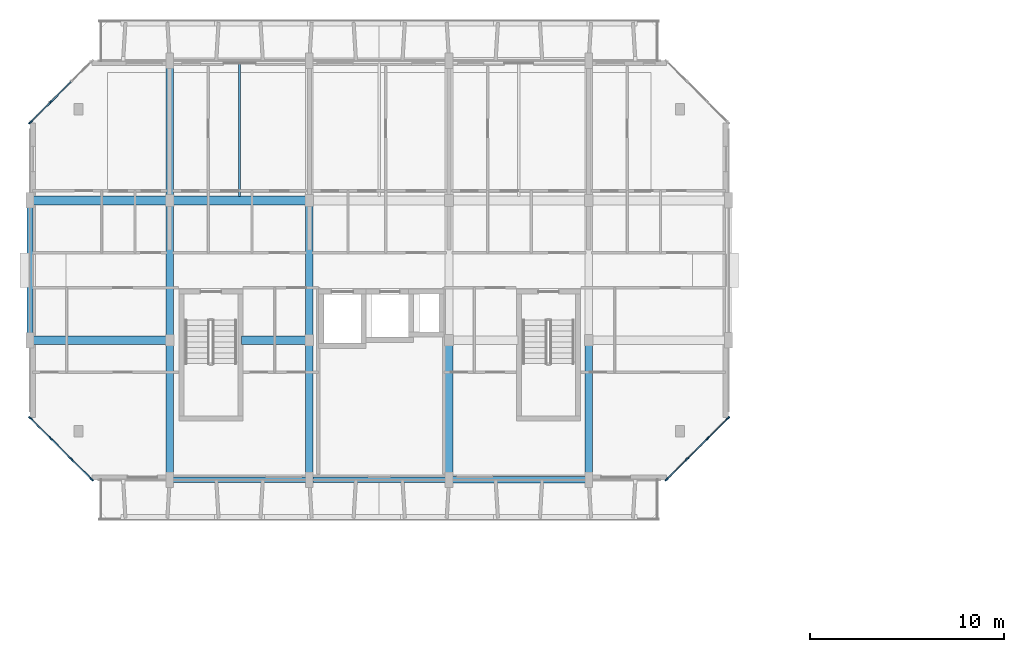
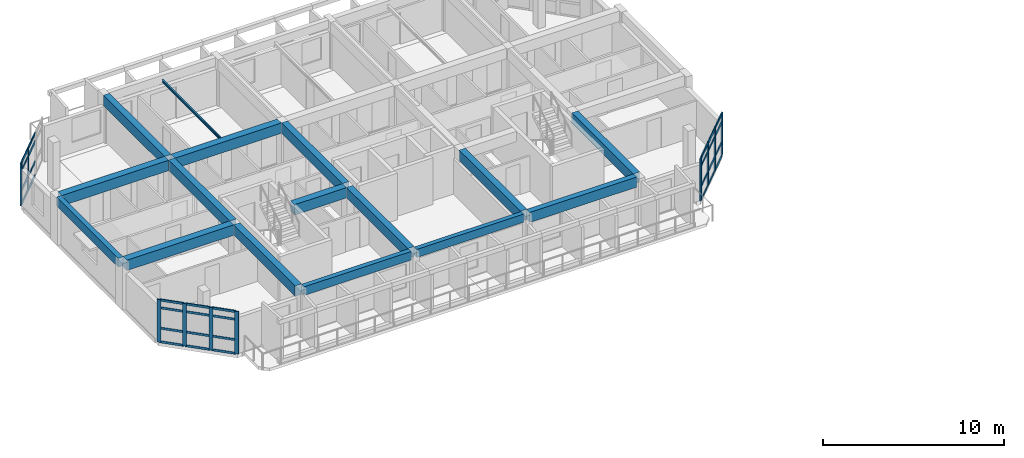
# One storey, part 5 of 40: 42 members, 16 beams, 3 elements without a shape of their own.
"""IFC4 building model written with IfcOpenShell, lengths in metres."""

from ifc_helpers import new_model, si_unit, direction, frame, origin, origin_2d, place, context, subcontext, project, spatial, rectangle, i_section, extrude, material, layer, layer_set, material_profile, profile_set, type_object, element, aggregate, save


model = new_model("IFC4")

# Units and contexts
model_context = context("Model", 3, precision=1e-05, world=origin(), true_north=direction((0.0, 1.0)))
body_context = subcontext(model_context, "Body", "Model", "MODEL_VIEW")
ifc_project = project(units=[si_unit("LENGTHUNIT", "METRE"), si_unit("AREAUNIT", "SQUARE_METRE"), si_unit("VOLUMEUNIT", "CUBIC_METRE"), si_unit("PLANEANGLEUNIT", "RADIAN"), si_unit("MASSUNIT", "GRAM", prefix="KILO")], contexts=[model_context])

# Site, building, storey
site_placement = place(None, origin())
site = spatial("IfcSite", under=ifc_project, at=site_placement, CompositionType="ELEMENT")
building_placement = place(site_placement, origin())
building = spatial("IfcBuilding", under=site, at=building_placement, Name="Ochrevale Crest", CompositionType="ELEMENT")
storey_placement = place(building_placement, frame((0.0, 0.0, 27.60009765625)))
storey = spatial("IfcBuildingStorey", under=building, at=storey_placement, Name="L08", CompositionType="ELEMENT", Elevation=27.60009765625)

# Beams
ifc_material_1 = material(Name="Precast concrete C50/60", Category="concrete")
ifc_material_profile_1 = material_profile(ifc_material_1, rectangle(XDim=0.39990234375, YDim=0.699951171875, at=origin_2d()), Name="PC 400x700")
ifc_profile_set_1 = profile_set([ifc_material_profile_1], Name="Precast concrete C50/60")
beam_type_1 = type_object("IfcBeamType", Name="BM-PC400x700", PredefinedType="BEAM", material=ifc_profile_set_1)
beam_1_placement = place(storey_placement, frame((7.199951171875, 72.179931640625, 2.7998046875), z_axis=(0.0, 1.0, 0.0), x_axis=(-1.0, 0.0, 0.0)))
element("IfcBeam", 1, at=beam_1_placement, inside=storey, type_object=beam_type_1, Name="Block B L08 N-S beam X=7.2", PredefinedType="BEAM", context=body_context, shape_type="SweptSolid", body=[
    extrude(rectangle(XDim=0.39990234375, YDim=0.699951171875, at=origin_2d()), origin(), (0.0, 0.0, 1.0), 6.815185546875),
])
beam_2_placement = place(storey_placement, frame((7.199951171875, 79.405029296875, 2.7998046875), z_axis=(0.0, 1.0, 0.0), x_axis=(-1.0, 0.0, 0.0)))
element("IfcBeam", 2, at=beam_2_placement, inside=storey, type_object=beam_type_1, Name="Block B L08 N-S beam X=7.2", PredefinedType="BEAM", context=body_context, shape_type="SweptSolid", body=[
    extrude(rectangle(XDim=0.39990234375, YDim=0.699951171875, at=origin_2d()), origin(), (0.0, 0.0, 1.0), 6.7900390625),
])
beam_3_placement = place(storey_placement, frame((7.199951171875, 86.60498046875, 2.7998046875), z_axis=(0.0, 1.0, 0.0), x_axis=(-1.0, 0.0, 0.0)))
element("IfcBeam", 3, at=beam_3_placement, inside=storey, type_object=beam_type_1, Name="Block B L08 N-S beam X=7.2", PredefinedType="BEAM", context=body_context, shape_type="SweptSolid", body=[
    extrude(rectangle(XDim=0.39990234375, YDim=0.699951171875, at=origin_2d()), origin(), (0.0, 0.0, 1.0), 6.81494140625),
])
beam_4_placement = place(storey_placement, frame((14.39990234375, 72.179931640625, 2.7998046875), z_axis=(0.0, 1.0, 0.0), x_axis=(-1.0, 0.0, 0.0)))
element("IfcBeam", 4, at=beam_4_placement, inside=storey, type_object=beam_type_1, Name="Block B L08 N-S beam X=14.4", PredefinedType="BEAM", context=body_context, shape_type="SweptSolid", body=[
    extrude(rectangle(XDim=0.39990234375, YDim=0.699951171875, at=origin_2d()), origin(), (0.0, 0.0, 1.0), 6.815185546875),
])
beam_5_placement = place(storey_placement, frame((14.39990234375, 79.405029296875, 2.7998046875), z_axis=(0.0, 1.0, 0.0), x_axis=(-1.0, 0.0, 0.0)))
element("IfcBeam", 5, at=beam_5_placement, inside=storey, type_object=beam_type_1, Name="Block B L08 N-S beam X=14.4", PredefinedType="BEAM", context=body_context, shape_type="SweptSolid", body=[
    extrude(rectangle(XDim=0.39990234375, YDim=0.699951171875, at=origin_2d()), origin(), (0.0, 0.0, 1.0), 6.7900390625),
])
for number, where, z_axis, x_axis, name in (
    (6, (21.60009765625, 72.179931640625, 2.7998046875), (0.0, 1.0, 0.0), (-1.0, 0.0, 0.0), "Block B L08 N-S beam X=21.6"),
    (7, (28.800048828125, 72.179931640625, 2.7998046875), (0.0, 1.0, 0.0), (-1.0, 0.0, 0.0), "Block B L08 N-S beam X=28.8"),
):
    element("IfcBeam", number, at=place(storey_placement, frame(where, z_axis=z_axis, x_axis=x_axis)), inside=storey, type_object=beam_type_1, Name=name, PredefinedType="BEAM", context=body_context, shape_type="SweptSolid", body=[
        extrude(rectangle(XDim=0.39990234375, YDim=0.699951171875, at=origin_2d()), origin(), (0.0, 0.0, 1.0), 6.815185546875),
    ])
ifc_material_2 = material(Name="Concrete C50/60", Category="concrete")
ifc_material_profile_2 = material_profile(ifc_material_2, rectangle(XDim=0.449951171875, YDim=0.699951171875, at=origin_2d()), Name="RC 450x700")
ifc_profile_set_2 = profile_set([ifc_material_profile_2], Name="Concrete C50/60")
beam_type_2 = type_object("IfcBeamType", Name="BM-PG450x700", PredefinedType="USERDEFINED", material=ifc_profile_set_2)
beam_6_placement = place(storey_placement, frame((0.175048828125, 79.199951171875, 2.7998046875), z_axis=(1.0, 0.0, 0.0), x_axis=(0.0, 1.0, 0.0)))
element("IfcBeam", 8, at=beam_6_placement, inside=storey, type_object=beam_type_2, Name="Block B L08 E-W beam Y=79.2", ObjectType="GIRDER", PredefinedType="USERDEFINED", context=body_context, shape_type="SweptSolid", body=[
    extrude(rectangle(XDim=0.449951171875, YDim=0.699951171875, at=origin_2d()), origin(), (0.0, 0.0, 1.0), 6.824951171875),
])
beam_7_placement = place(storey_placement, frame((10.889892578125, 79.199951171875, 2.7998046875), z_axis=(1.0, 0.0, 0.0), x_axis=(0.0, 1.0, 0.0)))
element("IfcBeam", 9, at=beam_7_placement, inside=storey, type_object=beam_type_2, Name="Block B L08 E-W beam Y=79.2", ObjectType="GIRDER", PredefinedType="USERDEFINED", context=body_context, shape_type="SweptSolid", body=[
    extrude(rectangle(XDim=0.449951171875, YDim=0.699951171875, at=origin_2d()), origin(), (0.0, 0.0, 1.0), 3.31005859375),
])
beam_8_placement = place(storey_placement, frame((0.175048828125, 86.39990234375, 2.7998046875), z_axis=(1.0, 0.0, 0.0), x_axis=(0.0, 1.0, 0.0)))
element("IfcBeam", 10, at=beam_8_placement, inside=storey, type_object=beam_type_2, Name="Block B L08 E-W beam Y=86.4", ObjectType="GIRDER", PredefinedType="USERDEFINED", context=body_context, shape_type="SweptSolid", body=[
    extrude(rectangle(XDim=0.449951171875, YDim=0.699951171875, at=origin_2d()), origin(), (0.0, 0.0, 1.0), 6.824951171875),
])
beam_9_placement = place(storey_placement, frame((7.39990234375, 86.39990234375, 2.7998046875), z_axis=(1.0, 0.0, 0.0), x_axis=(0.0, 1.0, 0.0)))
element("IfcBeam", 11, at=beam_9_placement, inside=storey, type_object=beam_type_2, Name="Block B L08 E-W beam Y=86.4", ObjectType="GIRDER", PredefinedType="USERDEFINED", context=body_context, shape_type="SweptSolid", body=[
    extrude(rectangle(XDim=0.449951171875, YDim=0.699951171875, at=origin_2d()), origin(), (0.0, 0.0, 1.0), 6.800048828125),
])
ifc_material_3 = material(Name="Precast concrete C40/50", Category="concrete")
ifc_material_profile_3 = material_profile(ifc_material_3, rectangle(XDim=0.280029296875, YDim=0.550048828125, at=origin_2d()), Name="PC 280x550")
ifc_profile_set_3 = profile_set([ifc_material_profile_3], Name="Precast concrete C40/50")
beam_type_3 = type_object("IfcBeamType", Name="BM-SP280x550", PredefinedType="SPANDREL", material=ifc_profile_set_3)
beam_10_placement = place(storey_placement, frame((14.574951171875, 72.0, 2.875), z_axis=(1.0, 0.0, 0.0), x_axis=(0.0, 1.0, 0.0)))
element("IfcBeam", 12, at=beam_10_placement, inside=storey, type_object=beam_type_3, Name="Block B L08 E-W beam Y=72.0", PredefinedType="SPANDREL", context=body_context, shape_type="SweptSolid", body=[
    extrude(rectangle(XDim=0.280029296875, YDim=0.550048828125, at=origin_2d()), origin(), (0.0, 0.0, 1.0), 6.85009765625),
])
ifc_material_profile_4 = material_profile(ifc_material_3, rectangle(XDim=0.300048828125, YDim=0.580078125, at=origin_2d()), Name="PC 300x580")
ifc_profile_set_4 = profile_set([ifc_material_profile_4], Name="Precast concrete C40/50")
beam_type_4 = type_object("IfcBeamType", Name="BM-SP300x580", PredefinedType="SPANDREL", material=ifc_profile_set_4)
beam_11_placement = place(storey_placement, frame((7.375, 72.0, 2.85986328125), z_axis=(1.0, 0.0, 0.0), x_axis=(0.0, 1.0, 0.0)))
element("IfcBeam", 13, at=beam_11_placement, inside=storey, type_object=beam_type_4, Name="Block B L08 E-W beam Y=72.0", PredefinedType="SPANDREL", context=body_context, shape_type="SweptSolid", body=[
    extrude(rectangle(XDim=0.300048828125, YDim=0.580078125, at=origin_2d()), origin(), (0.0, 0.0, 1.0), 6.85009765625),
])
ifc_material_profile_5 = material_profile(ifc_material_3, rectangle(XDim=0.300048828125, YDim=0.60009765625, at=origin_2d()), Name="PC 300x600")
ifc_profile_set_5 = profile_set([ifc_material_profile_5], Name="Precast concrete C40/50")
beam_type_5 = type_object("IfcBeamType", Name="BM-SP300x600", PredefinedType="SPANDREL", material=ifc_profile_set_5)
beam_12_placement = place(storey_placement, frame((0.0, 79.3798828125, 2.849853515625), z_axis=(0.0, 1.0, 0.0), x_axis=(-1.0, 0.0, 0.0)))
element("IfcBeam", 14, at=beam_12_placement, inside=storey, type_object=beam_type_5, Name="Block B L08 N-S beam X=0.0", PredefinedType="SPANDREL", context=body_context, shape_type="SweptSolid", body=[
    extrude(rectangle(XDim=0.300048828125, YDim=0.60009765625, at=origin_2d()), origin(), (0.0, 0.0, 1.0), 6.840087890625),
])
ifc_material_profile_6 = material_profile(ifc_material_3, rectangle(XDim=0.35009765625, YDim=0.679931640625, at=origin_2d()), Name="PC 350x680")
ifc_profile_set_6 = profile_set([ifc_material_profile_6], Name="Precast concrete C40/50")
beam_type_6 = type_object("IfcBeamType", Name="BM-SP350x680", PredefinedType="SPANDREL", material=ifc_profile_set_6)
beam_13_placement = place(storey_placement, frame((21.77490234375, 72.0, 2.809814453125), z_axis=(1.0, 0.0, 0.0), x_axis=(0.0, 1.0, 0.0)))
element("IfcBeam", 15, at=beam_13_placement, inside=storey, type_object=beam_type_6, Name="Block B L08 E-W beam Y=72.0", PredefinedType="SPANDREL", context=body_context, shape_type="SweptSolid", body=[
    extrude(rectangle(XDim=0.35009765625, YDim=0.679931640625, at=origin_2d()), origin(), (0.0, 0.0, 1.0), 6.85009765625),
])
ifc_material_4 = material(Name="Steel S355", Category="steel")
ifc_material_profile_7 = material_profile(ifc_material_4, i_section(OverallWidth=0.090087890625, OverallDepth=0.1787109375, WebThickness=0.006103515625, FlangeThickness=0.010009765625, FilletRadius=0.0087890625, at=origin_2d()), Name="180UB22.2")
ifc_profile_set_7 = profile_set([ifc_material_profile_7], Name="Steel S355")
beam_type_7 = type_object("IfcBeamType", Name="BM-UB180", PredefinedType="JOIST", material=ifc_profile_set_7)
beam_14_placement = place(storey_placement, frame((10.800048828125, 86.613037109375, 2.785400390625), z_axis=(0.0, 1.0, 0.0), x_axis=(-1.0, 0.0, 0.0)))
element("IfcBeam", 16, at=beam_14_placement, inside=storey, type_object=beam_type_7, Name="Block B L08 composite plank trimmer beam 2", PredefinedType="JOIST", context=body_context, shape_type="SweptSolid", body=[
    extrude(i_section(OverallWidth=0.090087890625, OverallDepth=0.1787109375, WebThickness=0.006103515625, FlangeThickness=0.010009765625, FilletRadius=0.0087890625, at=origin_2d()), origin(), (0.0, 0.0, 1.0), 6.848876953125),
])

# Curtain wall, members
ifc_material_5 = material(Name="Anodised aluminium 6063-T5", Category="aluminium")
ifc_layer_1 = layer(ifc_material_5, 0.14990234375)
ifc_layer_set_1 = layer_set([ifc_layer_1], Name="Anodised aluminium 6063-T5")
curtain_wall_type_1 = type_object("IfcCurtainWallType", Name="CW-WG-240x285", PredefinedType="NOTDEFINED", material=ifc_layer_set_1)
curtain_wall_1_placement = place(storey_placement, origin())
curtain_wall_1 = element("IfcCurtainWall", 17, at=curtain_wall_1_placement, inside=storey, type_object=curtain_wall_type_1, Name="Block B L08 chamfered corner wintergarden curtain wall 2", PredefinedType="NOTDEFINED")
ifc_material_profile_8 = material_profile(ifc_material_5, rectangle(XDim=0.074951171875, YDim=0.219970703125, at=origin_2d()), Name="ALU 75x220")
ifc_profile_set_8 = profile_set([ifc_material_profile_8], Name="Anodised aluminium 6063-T5")
member_type_1 = type_object("IfcMemberType", Name="CW-MUL-75x220", PredefinedType="MULLION", material=ifc_profile_set_8)
member_1_placement = place(storey_placement, frame((32.826416015625, 72.026611328125, 0.0), z_axis=(0.0, 0.0, 1.0), x_axis=(-0.707106781187, 0.707106781187, 0.0)))
member_1 = element("IfcMember", 18, at=member_1_placement, type_object=member_type_1, Name="CW15 mullion 1", PredefinedType="MULLION", context=body_context, shape_type="SweptSolid", body=[
    extrude(rectangle(XDim=0.074951171875, YDim=0.219970703125, at=origin_2d()), origin(), (0.0, 0.0, 1.0), 2.875),
])
member_2_placement = place(storey_placement, frame((33.86669921875, 73.066650390625, 0.0), z_axis=(0.0, 0.0, 1.0), x_axis=(-0.707106781187, 0.707106781187, 0.0)))
member_2 = element("IfcMember", 19, at=member_2_placement, type_object=member_type_1, Name="CW15 mullion 2", PredefinedType="MULLION", context=body_context, shape_type="SweptSolid", body=[
    extrude(rectangle(XDim=0.074951171875, YDim=0.219970703125, at=origin_2d()), origin(), (0.0, 0.0, 1.0), 2.875),
])
member_3_placement = place(storey_placement, frame((34.933349609375, 74.13330078125, 0.0), z_axis=(0.0, 0.0, 1.0), x_axis=(-0.707106781187, 0.707106781187, 0.0)))
member_3 = element("IfcMember", 20, at=member_3_placement, type_object=member_type_1, Name="CW15 mullion 3", PredefinedType="MULLION", context=body_context, shape_type="SweptSolid", body=[
    extrude(rectangle(XDim=0.074951171875, YDim=0.219970703125, at=origin_2d()), origin(), (0.0, 0.0, 1.0), 2.875),
])
member_4_placement = place(storey_placement, frame((35.973388671875, 75.173583984375, 0.0), z_axis=(0.0, 0.0, 1.0), x_axis=(-0.707106781187, 0.707106781187, 0.0)))
member_4 = element("IfcMember", 21, at=member_4_placement, type_object=member_type_1, Name="CW15 mullion 4", PredefinedType="MULLION", context=body_context, shape_type="SweptSolid", body=[
    extrude(rectangle(XDim=0.074951171875, YDim=0.219970703125, at=origin_2d()), origin(), (0.0, 0.0, 1.0), 2.875),
])

ifc_layer_2 = layer(ifc_material_5, 0.14990234375)
ifc_layer_set_2 = layer_set([ifc_layer_2], Name="Anodised aluminium 6063-T5")
curtain_wall_type_2 = type_object("IfcCurtainWallType", Name="CW-WG-420x285", PredefinedType="NOTDEFINED", material=ifc_layer_set_2)
curtain_wall_2_placement = place(storey_placement, origin())
curtain_wall_2 = element("IfcCurtainWall", 22, at=curtain_wall_2_placement, inside=storey, type_object=curtain_wall_type_2, Name="Block B L08 chamfered corner wintergarden curtain wall 6", PredefinedType="NOTDEFINED")
member_5_placement = place(storey_placement, frame((1.066650390625, 91.466552734375, 0.0), z_axis=(0.0, 0.0, 1.0), x_axis=(0.707106781187, -0.707106781187, 0.0)))
member_5 = element("IfcMember", 23, at=member_5_placement, type_object=member_type_1, Name="CW22 mullion 3", PredefinedType="MULLION", context=body_context, shape_type="SweptSolid", body=[
    extrude(rectangle(XDim=0.074951171875, YDim=0.219970703125, at=origin_2d()), origin(), (0.0, 0.0, 1.0), 2.875),
])
member_6_placement = place(storey_placement, frame((0.026611328125, 90.426513671875, 0.0), z_axis=(0.0, 0.0, 1.0), x_axis=(0.707106781187, -0.707106781187, 0.0)))
member_6 = element("IfcMember", 24, at=member_6_placement, type_object=member_type_1, Name="CW22 mullion 4", PredefinedType="MULLION", context=body_context, shape_type="SweptSolid", body=[
    extrude(rectangle(XDim=0.074951171875, YDim=0.219970703125, at=origin_2d()), origin(), (0.0, 0.0, 1.0), 2.875),
])

ifc_layer_3 = layer(ifc_material_5, 0.14990234375)
ifc_layer_set_3 = layer_set([ifc_layer_3], Name="Anodised aluminium 6063-T5")
curtain_wall_type_3 = type_object("IfcCurtainWallType", Name="CW-WG-280x285", PredefinedType="NOTDEFINED", material=ifc_layer_set_3)
curtain_wall_3_placement = place(storey_placement, origin())
curtain_wall_3 = element("IfcCurtainWall", 25, at=curtain_wall_3_placement, inside=storey, type_object=curtain_wall_type_3, Name="Block B L08 chamfered corner wintergarden curtain wall 8", PredefinedType="NOTDEFINED")
member_7_placement = place(storey_placement, frame((0.026611328125, 75.173583984375, 0.0), z_axis=(0.0, 0.0, 1.0), x_axis=(0.707106781187, 0.707106781187, 0.0)))
member_7 = element("IfcMember", 26, at=member_7_placement, type_object=member_type_1, Name="CW16 mullion 1", PredefinedType="MULLION", context=body_context, shape_type="SweptSolid", body=[
    extrude(rectangle(XDim=0.074951171875, YDim=0.219970703125, at=origin_2d()), origin(), (0.0, 0.0, 1.0), 2.875),
])
member_8_placement = place(storey_placement, frame((1.066650390625, 74.13330078125, 0.0), z_axis=(0.0, 0.0, 1.0), x_axis=(0.707106781187, 0.707106781187, 0.0)))
member_8 = element("IfcMember", 27, at=member_8_placement, type_object=member_type_1, Name="CW16 mullion 2", PredefinedType="MULLION", context=body_context, shape_type="SweptSolid", body=[
    extrude(rectangle(XDim=0.074951171875, YDim=0.219970703125, at=origin_2d()), origin(), (0.0, 0.0, 1.0), 2.875),
])
member_9_placement = place(storey_placement, frame((2.13330078125, 73.066650390625, 0.0), z_axis=(0.0, 0.0, 1.0), x_axis=(0.707106781187, 0.707106781187, 0.0)))
member_9 = element("IfcMember", 28, at=member_9_placement, type_object=member_type_1, Name="CW16 mullion 3", PredefinedType="MULLION", context=body_context, shape_type="SweptSolid", body=[
    extrude(rectangle(XDim=0.074951171875, YDim=0.219970703125, at=origin_2d()), origin(), (0.0, 0.0, 1.0), 2.875),
])
member_10_placement = place(storey_placement, frame((3.173583984375, 72.026611328125, 0.0), z_axis=(0.0, 0.0, 1.0), x_axis=(0.707106781187, 0.707106781187, 0.0)))
member_10 = element("IfcMember", 29, at=member_10_placement, type_object=member_type_1, Name="CW16 mullion 4", PredefinedType="MULLION", context=body_context, shape_type="SweptSolid", body=[
    extrude(rectangle(XDim=0.074951171875, YDim=0.219970703125, at=origin_2d()), origin(), (0.0, 0.0, 1.0), 2.875),
])

# Member
ifc_material_profile_9 = material_profile(ifc_material_5, rectangle(XDim=0.06005859375, YDim=0.14990234375, at=origin_2d()), Name="ALU 60x150")
ifc_profile_set_9 = profile_set([ifc_material_profile_9], Name="Anodised aluminium 6063-T5")
member_type_2 = type_object("IfcMemberType", Name="CW-TRN-60x150", PredefinedType="USERDEFINED", material=ifc_profile_set_9)
member_11_placement = place(storey_placement, frame((32.85302734375, 72.052978515625, 0.02978515625), z_axis=(0.707106781187, 0.707106781187, 0.0), x_axis=(-0.707106781187, 0.707106781187, 0.0)))
member_11 = element("IfcMember", 30, at=member_11_placement, type_object=member_type_2, Name="CW15 transom 1.1", ObjectType="TRANSOM", PredefinedType="USERDEFINED", context=body_context, shape_type="SweptSolid", body=[
    extrude(rectangle(XDim=0.06005859375, YDim=0.14990234375, at=origin_2d()), origin(), (0.0, 0.0, 1.0), 1.39599609375),
])

member_12_placement = place(storey_placement, frame((32.85302734375, 72.052978515625, 0.949951171875), z_axis=(0.707106781187, 0.707106781187, 0.0), x_axis=(-0.707106781187, 0.707106781187, 0.0)))
member_12 = element("IfcMember", 31, at=member_12_placement, type_object=member_type_2, Name="CW15 transom 1.2", ObjectType="TRANSOM", PredefinedType="USERDEFINED", context=body_context, shape_type="SweptSolid", body=[
    extrude(rectangle(XDim=0.06005859375, YDim=0.14990234375, at=origin_2d()), origin(), (0.0, 0.0, 1.0), 1.39599609375),
])

member_13_placement = place(storey_placement, frame((32.85302734375, 72.052978515625, 2.324951171875), z_axis=(0.707106781187, 0.707106781187, 0.0), x_axis=(-0.707106781187, 0.707106781187, 0.0)))
member_13 = element("IfcMember", 32, at=member_13_placement, type_object=member_type_2, Name="CW15 transom 1.3", ObjectType="TRANSOM", PredefinedType="USERDEFINED", context=body_context, shape_type="SweptSolid", body=[
    extrude(rectangle(XDim=0.06005859375, YDim=0.14990234375, at=origin_2d()), origin(), (0.0, 0.0, 1.0), 1.39599609375),
])

member_14_placement = place(storey_placement, frame((32.85302734375, 72.052978515625, 2.844970703125), z_axis=(0.707106781187, 0.707106781187, 0.0), x_axis=(-0.707106781187, 0.707106781187, 0.0)))
member_14 = element("IfcMember", 33, at=member_14_placement, type_object=member_type_2, Name="CW15 transom 1.4", ObjectType="TRANSOM", PredefinedType="USERDEFINED", context=body_context, shape_type="SweptSolid", body=[
    extrude(rectangle(XDim=0.06005859375, YDim=0.14990234375, at=origin_2d()), origin(), (0.0, 0.0, 1.0), 1.39599609375),
])

member_15_placement = place(storey_placement, frame((33.89306640625, 73.09326171875, 0.02978515625), z_axis=(0.707106781187, 0.707106781187, 0.0), x_axis=(-0.707106781187, 0.707106781187, 0.0)))
member_15 = element("IfcMember", 34, at=member_15_placement, type_object=member_type_2, Name="CW15 transom 2.1", ObjectType="TRANSOM", PredefinedType="USERDEFINED", context=body_context, shape_type="SweptSolid", body=[
    extrude(rectangle(XDim=0.06005859375, YDim=0.14990234375, at=origin_2d()), origin(), (0.0, 0.0, 1.0), 1.43359375),
])

member_16_placement = place(storey_placement, frame((33.89306640625, 73.09326171875, 0.949951171875), z_axis=(0.707106781187, 0.707106781187, 0.0), x_axis=(-0.707106781187, 0.707106781187, 0.0)))
member_16 = element("IfcMember", 35, at=member_16_placement, type_object=member_type_2, Name="CW15 transom 2.2", ObjectType="TRANSOM", PredefinedType="USERDEFINED", context=body_context, shape_type="SweptSolid", body=[
    extrude(rectangle(XDim=0.06005859375, YDim=0.14990234375, at=origin_2d()), origin(), (0.0, 0.0, 1.0), 1.43359375),
])

member_17_placement = place(storey_placement, frame((33.89306640625, 73.09326171875, 2.324951171875), z_axis=(0.707106781187, 0.707106781187, 0.0), x_axis=(-0.707106781187, 0.707106781187, 0.0)))
member_17 = element("IfcMember", 36, at=member_17_placement, type_object=member_type_2, Name="CW15 transom 2.3", ObjectType="TRANSOM", PredefinedType="USERDEFINED", context=body_context, shape_type="SweptSolid", body=[
    extrude(rectangle(XDim=0.06005859375, YDim=0.14990234375, at=origin_2d()), origin(), (0.0, 0.0, 1.0), 1.43359375),
])

member_18_placement = place(storey_placement, frame((33.89306640625, 73.09326171875, 2.844970703125), z_axis=(0.707106781187, 0.707106781187, 0.0), x_axis=(-0.707106781187, 0.707106781187, 0.0)))
member_18 = element("IfcMember", 37, at=member_18_placement, type_object=member_type_2, Name="CW15 transom 2.4", ObjectType="TRANSOM", PredefinedType="USERDEFINED", context=body_context, shape_type="SweptSolid", body=[
    extrude(rectangle(XDim=0.06005859375, YDim=0.14990234375, at=origin_2d()), origin(), (0.0, 0.0, 1.0), 1.43359375),
])

member_19_placement = place(storey_placement, frame((34.9599609375, 74.159912109375, 0.02978515625), z_axis=(0.707106781187, 0.707106781187, 0.0), x_axis=(-0.707106781187, 0.707106781187, 0.0)))
member_19 = element("IfcMember", 38, at=member_19_placement, type_object=member_type_2, Name="CW15 transom 3.1", ObjectType="TRANSOM", PredefinedType="USERDEFINED", context=body_context, shape_type="SweptSolid", body=[
    extrude(rectangle(XDim=0.06005859375, YDim=0.14990234375, at=origin_2d()), origin(), (0.0, 0.0, 1.0), 1.39599609375),
])

member_20_placement = place(storey_placement, frame((34.9599609375, 74.159912109375, 0.949951171875), z_axis=(0.707106781187, 0.707106781187, 0.0), x_axis=(-0.707106781187, 0.707106781187, 0.0)))
member_20 = element("IfcMember", 39, at=member_20_placement, type_object=member_type_2, Name="CW15 transom 3.2", ObjectType="TRANSOM", PredefinedType="USERDEFINED", context=body_context, shape_type="SweptSolid", body=[
    extrude(rectangle(XDim=0.06005859375, YDim=0.14990234375, at=origin_2d()), origin(), (0.0, 0.0, 1.0), 1.39599609375),
])

member_21_placement = place(storey_placement, frame((34.9599609375, 74.159912109375, 2.324951171875), z_axis=(0.707106781187, 0.707106781187, 0.0), x_axis=(-0.707106781187, 0.707106781187, 0.0)))
member_21 = element("IfcMember", 40, at=member_21_placement, type_object=member_type_2, Name="CW15 transom 3.3", ObjectType="TRANSOM", PredefinedType="USERDEFINED", context=body_context, shape_type="SweptSolid", body=[
    extrude(rectangle(XDim=0.06005859375, YDim=0.14990234375, at=origin_2d()), origin(), (0.0, 0.0, 1.0), 1.39599609375),
])

member_22_placement = place(storey_placement, frame((34.9599609375, 74.159912109375, 2.844970703125), z_axis=(0.707106781187, 0.707106781187, 0.0), x_axis=(-0.707106781187, 0.707106781187, 0.0)))
member_22 = element("IfcMember", 41, at=member_22_placement, type_object=member_type_2, Name="CW15 transom 3.4", ObjectType="TRANSOM", PredefinedType="USERDEFINED", context=body_context, shape_type="SweptSolid", body=[
    extrude(rectangle(XDim=0.06005859375, YDim=0.14990234375, at=origin_2d()), origin(), (0.0, 0.0, 1.0), 1.39599609375),
])

aggregate(curtain_wall_1, [member_1, member_2, member_3, member_4, member_11, member_12, member_13, member_14, member_15, member_16, member_17, member_18, member_19, member_20, member_21, member_22])

member_23_placement = place(storey_placement, frame((2.10693359375, 92.5068359375, 0.02978515625), z_axis=(-0.707106781187, -0.707106781187, 0.0), x_axis=(0.707106781187, -0.707106781187, 0.0)))
member_23 = element("IfcMember", 42, at=member_23_placement, type_object=member_type_2, Name="CW22 transom 2.1", ObjectType="TRANSOM", PredefinedType="USERDEFINED", context=body_context, shape_type="SweptSolid", body=[
    extrude(rectangle(XDim=0.06005859375, YDim=0.14990234375, at=origin_2d()), origin(), (0.0, 0.0, 1.0), 1.43359375),
])

member_24_placement = place(storey_placement, frame((2.10693359375, 92.5068359375, 0.949951171875), z_axis=(-0.707106781187, -0.707106781187, 0.0), x_axis=(0.707106781187, -0.707106781187, 0.0)))
member_24 = element("IfcMember", 43, at=member_24_placement, type_object=member_type_2, Name="CW22 transom 2.2", ObjectType="TRANSOM", PredefinedType="USERDEFINED", context=body_context, shape_type="SweptSolid", body=[
    extrude(rectangle(XDim=0.06005859375, YDim=0.14990234375, at=origin_2d()), origin(), (0.0, 0.0, 1.0), 1.43359375),
])

member_25_placement = place(storey_placement, frame((2.10693359375, 92.5068359375, 2.324951171875), z_axis=(-0.707106781187, -0.707106781187, 0.0), x_axis=(0.707106781187, -0.707106781187, 0.0)))
member_25 = element("IfcMember", 44, at=member_25_placement, type_object=member_type_2, Name="CW22 transom 2.3", ObjectType="TRANSOM", PredefinedType="USERDEFINED", context=body_context, shape_type="SweptSolid", body=[
    extrude(rectangle(XDim=0.06005859375, YDim=0.14990234375, at=origin_2d()), origin(), (0.0, 0.0, 1.0), 1.43359375),
])

member_26_placement = place(storey_placement, frame((2.10693359375, 92.5068359375, 2.844970703125), z_axis=(-0.707106781187, -0.707106781187, 0.0), x_axis=(0.707106781187, -0.707106781187, 0.0)))
member_26 = element("IfcMember", 45, at=member_26_placement, type_object=member_type_2, Name="CW22 transom 2.4", ObjectType="TRANSOM", PredefinedType="USERDEFINED", context=body_context, shape_type="SweptSolid", body=[
    extrude(rectangle(XDim=0.06005859375, YDim=0.14990234375, at=origin_2d()), origin(), (0.0, 0.0, 1.0), 1.43359375),
])

member_27_placement = place(storey_placement, frame((1.0400390625, 91.440185546875, 0.02978515625), z_axis=(-0.707106781187, -0.707106781187, 0.0), x_axis=(0.707106781187, -0.707106781187, 0.0)))
member_27 = element("IfcMember", 46, at=member_27_placement, type_object=member_type_2, Name="CW22 transom 3.1", ObjectType="TRANSOM", PredefinedType="USERDEFINED", context=body_context, shape_type="SweptSolid", body=[
    extrude(rectangle(XDim=0.06005859375, YDim=0.14990234375, at=origin_2d()), origin(), (0.0, 0.0, 1.0), 1.39599609375),
])

member_28_placement = place(storey_placement, frame((1.0400390625, 91.440185546875, 0.949951171875), z_axis=(-0.707106781187, -0.707106781187, 0.0), x_axis=(0.707106781187, -0.707106781187, 0.0)))
member_28 = element("IfcMember", 47, at=member_28_placement, type_object=member_type_2, Name="CW22 transom 3.2", ObjectType="TRANSOM", PredefinedType="USERDEFINED", context=body_context, shape_type="SweptSolid", body=[
    extrude(rectangle(XDim=0.06005859375, YDim=0.14990234375, at=origin_2d()), origin(), (0.0, 0.0, 1.0), 1.39599609375),
])

member_29_placement = place(storey_placement, frame((1.0400390625, 91.440185546875, 2.324951171875), z_axis=(-0.707106781187, -0.707106781187, 0.0), x_axis=(0.707106781187, -0.707106781187, 0.0)))
member_29 = element("IfcMember", 48, at=member_29_placement, type_object=member_type_2, Name="CW22 transom 3.3", ObjectType="TRANSOM", PredefinedType="USERDEFINED", context=body_context, shape_type="SweptSolid", body=[
    extrude(rectangle(XDim=0.06005859375, YDim=0.14990234375, at=origin_2d()), origin(), (0.0, 0.0, 1.0), 1.39599609375),
])

member_30_placement = place(storey_placement, frame((1.0400390625, 91.440185546875, 2.844970703125), z_axis=(-0.707106781187, -0.707106781187, 0.0), x_axis=(0.707106781187, -0.707106781187, 0.0)))
member_30 = element("IfcMember", 49, at=member_30_placement, type_object=member_type_2, Name="CW22 transom 3.4", ObjectType="TRANSOM", PredefinedType="USERDEFINED", context=body_context, shape_type="SweptSolid", body=[
    extrude(rectangle(XDim=0.06005859375, YDim=0.14990234375, at=origin_2d()), origin(), (0.0, 0.0, 1.0), 1.39599609375),
])

aggregate(curtain_wall_2, [member_5, member_6, member_23, member_24, member_25, member_26, member_27, member_28, member_29, member_30])

member_31_placement = place(storey_placement, frame((0.052978515625, 75.14697265625, 0.02978515625), z_axis=(0.707106781187, -0.707106781187, 0.0), x_axis=(0.707106781187, 0.707106781187, 0.0)))
member_31 = element("IfcMember", 50, at=member_31_placement, type_object=member_type_2, Name="CW16 transom 1.1", ObjectType="TRANSOM", PredefinedType="USERDEFINED", context=body_context, shape_type="SweptSolid", body=[
    extrude(rectangle(XDim=0.06005859375, YDim=0.14990234375, at=origin_2d()), origin(), (0.0, 0.0, 1.0), 1.39599609375),
])

member_32_placement = place(storey_placement, frame((0.052978515625, 75.14697265625, 0.949951171875), z_axis=(0.707106781187, -0.707106781187, 0.0), x_axis=(0.707106781187, 0.707106781187, 0.0)))
member_32 = element("IfcMember", 51, at=member_32_placement, type_object=member_type_2, Name="CW16 transom 1.2", ObjectType="TRANSOM", PredefinedType="USERDEFINED", context=body_context, shape_type="SweptSolid", body=[
    extrude(rectangle(XDim=0.06005859375, YDim=0.14990234375, at=origin_2d()), origin(), (0.0, 0.0, 1.0), 1.39599609375),
])

member_33_placement = place(storey_placement, frame((0.052978515625, 75.14697265625, 2.324951171875), z_axis=(0.707106781187, -0.707106781187, 0.0), x_axis=(0.707106781187, 0.707106781187, 0.0)))
member_33 = element("IfcMember", 52, at=member_33_placement, type_object=member_type_2, Name="CW16 transom 1.3", ObjectType="TRANSOM", PredefinedType="USERDEFINED", context=body_context, shape_type="SweptSolid", body=[
    extrude(rectangle(XDim=0.06005859375, YDim=0.14990234375, at=origin_2d()), origin(), (0.0, 0.0, 1.0), 1.39599609375),
])

member_34_placement = place(storey_placement, frame((0.052978515625, 75.14697265625, 2.844970703125), z_axis=(0.707106781187, -0.707106781187, 0.0), x_axis=(0.707106781187, 0.707106781187, 0.0)))
member_34 = element("IfcMember", 53, at=member_34_placement, type_object=member_type_2, Name="CW16 transom 1.4", ObjectType="TRANSOM", PredefinedType="USERDEFINED", context=body_context, shape_type="SweptSolid", body=[
    extrude(rectangle(XDim=0.06005859375, YDim=0.14990234375, at=origin_2d()), origin(), (0.0, 0.0, 1.0), 1.39599609375),
])

member_35_placement = place(storey_placement, frame((1.09326171875, 74.10693359375, 0.02978515625), z_axis=(0.707106781187, -0.707106781187, 0.0), x_axis=(0.707106781187, 0.707106781187, 0.0)))
member_35 = element("IfcMember", 54, at=member_35_placement, type_object=member_type_2, Name="CW16 transom 2.1", ObjectType="TRANSOM", PredefinedType="USERDEFINED", context=body_context, shape_type="SweptSolid", body=[
    extrude(rectangle(XDim=0.06005859375, YDim=0.14990234375, at=origin_2d()), origin(), (0.0, 0.0, 1.0), 1.43359375),
])

member_36_placement = place(storey_placement, frame((1.09326171875, 74.10693359375, 0.949951171875), z_axis=(0.707106781187, -0.707106781187, 0.0), x_axis=(0.707106781187, 0.707106781187, 0.0)))
member_36 = element("IfcMember", 55, at=member_36_placement, type_object=member_type_2, Name="CW16 transom 2.2", ObjectType="TRANSOM", PredefinedType="USERDEFINED", context=body_context, shape_type="SweptSolid", body=[
    extrude(rectangle(XDim=0.06005859375, YDim=0.14990234375, at=origin_2d()), origin(), (0.0, 0.0, 1.0), 1.43359375),
])

member_37_placement = place(storey_placement, frame((1.09326171875, 74.10693359375, 2.324951171875), z_axis=(0.707106781187, -0.707106781187, 0.0), x_axis=(0.707106781187, 0.707106781187, 0.0)))
member_37 = element("IfcMember", 56, at=member_37_placement, type_object=member_type_2, Name="CW16 transom 2.3", ObjectType="TRANSOM", PredefinedType="USERDEFINED", context=body_context, shape_type="SweptSolid", body=[
    extrude(rectangle(XDim=0.06005859375, YDim=0.14990234375, at=origin_2d()), origin(), (0.0, 0.0, 1.0), 1.43359375),
])

member_38_placement = place(storey_placement, frame((1.09326171875, 74.10693359375, 2.844970703125), z_axis=(0.707106781187, -0.707106781187, 0.0), x_axis=(0.707106781187, 0.707106781187, 0.0)))
member_38 = element("IfcMember", 57, at=member_38_placement, type_object=member_type_2, Name="CW16 transom 2.4", ObjectType="TRANSOM", PredefinedType="USERDEFINED", context=body_context, shape_type="SweptSolid", body=[
    extrude(rectangle(XDim=0.06005859375, YDim=0.14990234375, at=origin_2d()), origin(), (0.0, 0.0, 1.0), 1.43359375),
])

member_39_placement = place(storey_placement, frame((2.159912109375, 73.0400390625, 0.02978515625), z_axis=(0.707106781187, -0.707106781187, 0.0), x_axis=(0.707106781187, 0.707106781187, 0.0)))
member_39 = element("IfcMember", 58, at=member_39_placement, type_object=member_type_2, Name="CW16 transom 3.1", ObjectType="TRANSOM", PredefinedType="USERDEFINED", context=body_context, shape_type="SweptSolid", body=[
    extrude(rectangle(XDim=0.06005859375, YDim=0.14990234375, at=origin_2d()), origin(), (0.0, 0.0, 1.0), 1.39599609375),
])

member_40_placement = place(storey_placement, frame((2.159912109375, 73.0400390625, 0.949951171875), z_axis=(0.707106781187, -0.707106781187, 0.0), x_axis=(0.707106781187, 0.707106781187, 0.0)))
member_40 = element("IfcMember", 59, at=member_40_placement, type_object=member_type_2, Name="CW16 transom 3.2", ObjectType="TRANSOM", PredefinedType="USERDEFINED", context=body_context, shape_type="SweptSolid", body=[
    extrude(rectangle(XDim=0.06005859375, YDim=0.14990234375, at=origin_2d()), origin(), (0.0, 0.0, 1.0), 1.39599609375),
])

member_41_placement = place(storey_placement, frame((2.159912109375, 73.0400390625, 2.324951171875), z_axis=(0.707106781187, -0.707106781187, 0.0), x_axis=(0.707106781187, 0.707106781187, 0.0)))
member_41 = element("IfcMember", 60, at=member_41_placement, type_object=member_type_2, Name="CW16 transom 3.3", ObjectType="TRANSOM", PredefinedType="USERDEFINED", context=body_context, shape_type="SweptSolid", body=[
    extrude(rectangle(XDim=0.06005859375, YDim=0.14990234375, at=origin_2d()), origin(), (0.0, 0.0, 1.0), 1.39599609375),
])

member_42_placement = place(storey_placement, frame((2.159912109375, 73.0400390625, 2.844970703125), z_axis=(0.707106781187, -0.707106781187, 0.0), x_axis=(0.707106781187, 0.707106781187, 0.0)))
member_42 = element("IfcMember", 61, at=member_42_placement, type_object=member_type_2, Name="CW16 transom 3.4", ObjectType="TRANSOM", PredefinedType="USERDEFINED", context=body_context, shape_type="SweptSolid", body=[
    extrude(rectangle(XDim=0.06005859375, YDim=0.14990234375, at=origin_2d()), origin(), (0.0, 0.0, 1.0), 1.39599609375),
])

aggregate(curtain_wall_3, [member_7, member_8, member_9, member_10, member_31, member_32, member_33, member_34, member_35, member_36, member_37, member_38, member_39, member_40, member_41, member_42])

save(model, "model.ifc")
